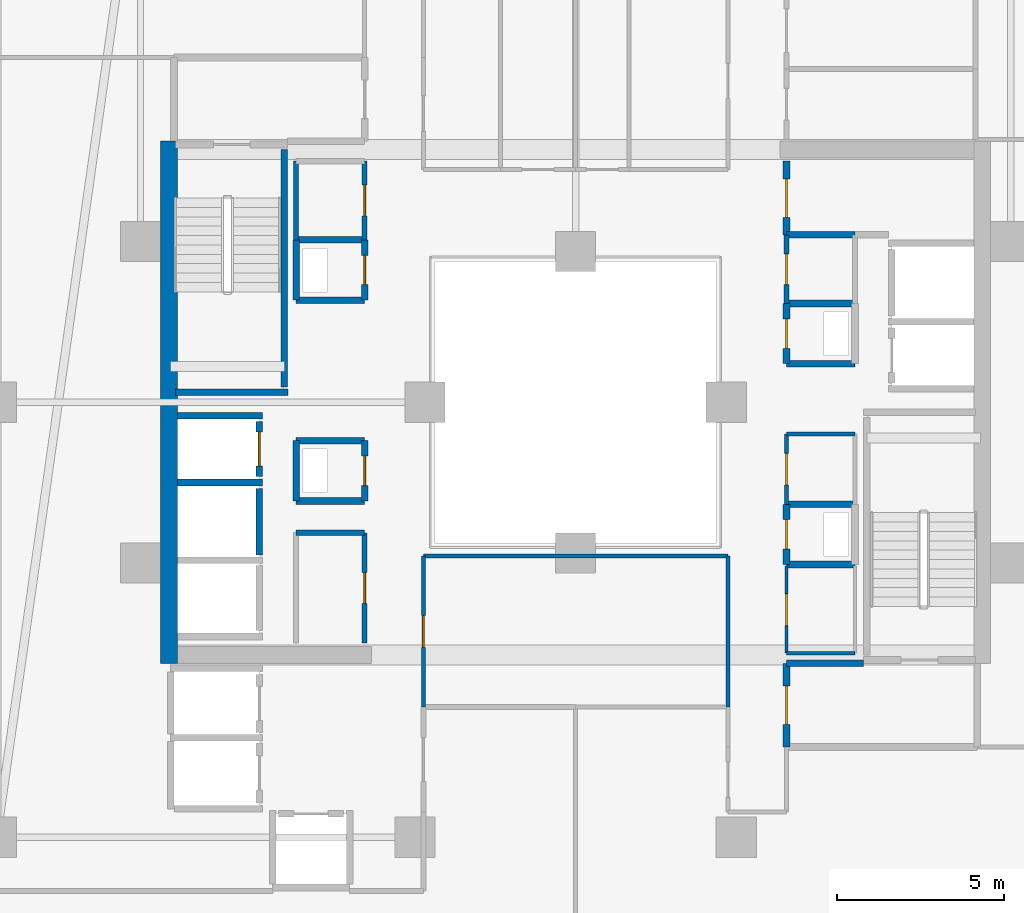
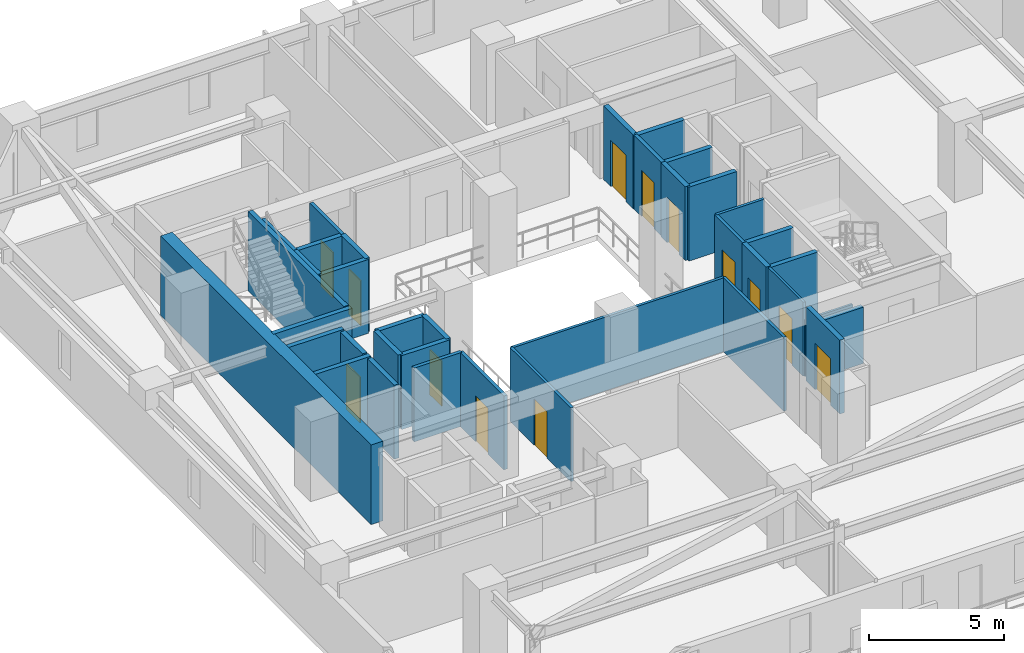
# One storey, part 23 of 33: 37 walls, 13 doors, 13 openings.
"""IFC4 building model written with IfcOpenShell, lengths in metres."""

from ifc_helpers import new_model, si_unit, direction, frame, frame_2d, origin, place, context, subcontext, project, spatial, rectangle, extrude, material, layer, layer_set, type_object, element, fill, save


model = new_model("IFC4")

# Units and contexts
model_context = context("Model", 3, precision=1e-05, world=origin(), true_north=direction((0.0, 1.0)))
body_context = subcontext(model_context, "Body", "Model", "MODEL_VIEW")
ifc_project = project(units=[si_unit("LENGTHUNIT", "METRE"), si_unit("AREAUNIT", "SQUARE_METRE"), si_unit("VOLUMEUNIT", "CUBIC_METRE"), si_unit("PLANEANGLEUNIT", "RADIAN"), si_unit("MASSUNIT", "GRAM", prefix="KILO")], contexts=[model_context])

# Site, building, storey
site_placement = place(None, origin())
site = spatial("IfcSite", under=ifc_project, at=site_placement, CompositionType="ELEMENT")
building_placement = place(site_placement, origin())
building = spatial("IfcBuilding", under=site, at=building_placement, Name="Thornwick Lancets Civic Towers", CompositionType="ELEMENT")
storey_placement = place(building_placement, frame((0.0, 0.0, 130.5)))
storey = spatial("IfcBuildingStorey", under=building, at=storey_placement, Name="L34", CompositionType="ELEMENT", Elevation=130.5)

# Wall, opening, door
ifc_material_1 = material(Name="Concrete blockwork C40/50", Category="masonry")
ifc_layer_1 = layer(ifc_material_1, 0.199951171875, Name="Concrete blockwork C40/50")
ifc_layer_set_1 = layer_set([ifc_layer_1], Name="Concrete blockwork C40/50")
wall_type_1 = type_object("IfcWallType", Name="WALL_COMP_200", PredefinedType="STANDARD", material=ifc_layer_set_1)
wall_1_placement = place(storey_placement, frame((79.050048828125, 24.780029296875, 0.0), z_axis=(0.0, 0.0, 1.0), x_axis=(0.0, 1.0, 0.0)))
wall_1 = element("IfcWall", 1, at=wall_1_placement, inside=storey, type_object=wall_type_1, Name="L34 Hoistway Front Wall FL-B2", PredefinedType="STANDARD", context=body_context, shape_type="SweptSolid", body=[
    extrude(rectangle(XDim=1.639892578125, YDim=0.199951171875, at=frame_2d((0.81982421875, 0.0))), origin(), (0.0, 0.0, 1.0), 3.340087890625),
])
opening_1_placement = place(wall_1_placement, frame((0.31005859375, 0.0, 0.0)))
opening_1 = element("IfcOpeningElement", 2, at=opening_1_placement, cuts=wall_1, Name="Opening LD-FL-B2", PredefinedType="OPENING", context=body_context, shape_type="SweptSolid", body=[
    extrude(rectangle(XDim=1.02001953125, YDim=2.06005859375, at=frame_2d((0.510009765625, 1.030029296875))), frame((0.0, 0.10986328125, 0.0), z_axis=(0.0, -1.0, 0.0), x_axis=(1.0, 0.0, 0.0)), (0.0, 0.0, 1.0), 0.219970703125),
])
ifc_material_2 = material(Name="Brushed bronze stainless steel", Category="steel")
door_type_1 = type_object("IfcDoorType", Name="DOOR_LIFT_SLIDE", OperationType="SLIDING_TO_LEFT", PredefinedType="DOOR", material=ifc_material_2)
door_1_placement = place(opening_1_placement, origin())
door_1 = element("IfcDoor", 3, at=door_1_placement, inside=storey, type_object=door_type_1, Name="L34 Sliding Lift Landing Door LD-FL-B2", OperationType="SLIDING_TO_LEFT", OverallHeight=2.06005859375, OverallWidth=1.02001953125, PredefinedType="DOOR", context=body_context, shape_type="SweptSolid", body=[
    extrude(rectangle(XDim=1.02001953125, YDim=2.06005859375, at=frame_2d((0.510009765625, 1.030029296875))), frame((0.0, 0.02490234375, 0.0), z_axis=(0.0, -1.0, 0.0), x_axis=(1.0, 0.0, 0.0)), (0.0, 0.0, 1.0), 0.050048828125),
])
fill(opening_1, door_1)

# Walls
wall_2_placement = place(storey_placement, frame((79.050048828125, 22.429931640625, 0.0), z_axis=(0.0, 0.0, 1.0), x_axis=(0.0, 1.0, 0.0)))
element("IfcWall", 4, at=wall_2_placement, inside=storey, type_object=wall_type_1, Name="L34 Hoistway Front Wall PL-BH2", PredefinedType="STANDARD", context=body_context, shape_type="SweptSolid", body=[
    extrude(rectangle(XDim=1.989990234375, YDim=0.199951171875, at=frame_2d((0.9951171875, 0.0))), origin(), (0.0, 0.0, 1.0), 3.340087890625),
])
for number, where, z_axis, x_axis, name in (
    (5, (76.612060546875, 26.60009765625, 0.0), (0.0, 0.0, 1.0), (1.0, 0.0, 0.0), "L34 Hoistway Shaft Wall FL-B2 N"),
    (6, (76.612060546875, 24.60009765625, 0.0), (0.0, 0.0, 1.0), (1.0, 0.0, 0.0), "L34 Hoistway Shaft Wall FL-B2 S"),
):
    element("IfcWall", number, at=place(storey_placement, frame(where, z_axis=z_axis, x_axis=x_axis)), inside=storey, type_object=wall_type_1, Name=name, PredefinedType="STANDARD", context=body_context, shape_type="SweptSolid", body=[
        extrude(rectangle(XDim=2.535888671875, YDim=0.199951171875, at=frame_2d((1.26806640625, 0.0))), origin(), (0.0, 0.0, 1.0), 3.340087890625),
    ])
wall_3_placement = place(storey_placement, frame((97.10009765625, 19.199951171875, 0.0), z_axis=(0.0, 0.0, 1.0), x_axis=(-1.0, 0.0, 0.0)))
element("IfcWall", 7, at=wall_3_placement, inside=storey, type_object=wall_type_1, Name="L34 Partition L34-B-FFLOB1 E3", PredefinedType="STANDARD", context=body_context, shape_type="SweptSolid", body=[
    extrude(rectangle(XDim=2.300048828125, YDim=0.199951171875, at=frame_2d((1.14990234375, 0.0))), origin(), (0.0, 0.0, 1.0), 2.544921875),
])

# Wall, opening, door
wall_4_placement = place(storey_placement, frame((94.800048828125, 19.199951171875, 0.0), z_axis=(0.0, 0.0, 1.0), x_axis=(0.0, -1.0, 0.0)))
wall_4 = element("IfcWall", 8, at=wall_4_placement, inside=storey, type_object=wall_type_1, Name="L34 Partition L34-B-FFLOB1 E4", PredefinedType="STANDARD", context=body_context, shape_type="SweptSolid", body=[
    extrude(rectangle(XDim=2.5, YDim=0.199951171875, at=frame_2d((1.25, 0.0))), origin(), (0.0, 0.0, 1.0), 3.340087890625),
])
opening_2_placement = place(wall_4_placement, frame((0.675048828125, 0.0, 0.0)))
opening_2 = element("IfcOpeningElement", 9, at=opening_2_placement, cuts=wall_4, Name="Opening D-L34-1541", PredefinedType="OPENING", context=body_context, shape_type="SweptSolid", body=[
    extrude(rectangle(XDim=1.14990234375, YDim=2.10009765625, at=frame_2d((0.574951171875, 1.050048828125))), frame((0.0, 0.10986328125, 0.0), z_axis=(0.0, -1.0, 0.0), x_axis=(1.0, 0.0, 0.0)), (0.0, 0.0, 1.0), 0.219970703125),
])
ifc_material_3 = material(Name="Glazed fire-resisting steel", Category="steel")
door_type_2 = type_object("IfcDoorType", Name="DOOR_LOBBY_FD60", OperationType="NOTDEFINED", PredefinedType="DOOR", material=ifc_material_3)
door_2_placement = place(opening_2_placement, origin())
door_2 = element("IfcDoor", 10, at=door_2_placement, inside=storey, type_object=door_type_2, Name="L34 East Firefighting Lobby 1 Door", OperationType="SINGLE_SWING_RIGHT", OverallHeight=2.10009765625, OverallWidth=1.14990234375, PredefinedType="DOOR", context=body_context, shape_type="SweptSolid", body=[
    extrude(rectangle(XDim=1.14990234375, YDim=2.10009765625, at=frame_2d((0.574951171875, 1.050048828125))), frame((0.0, 0.02490234375, 0.0), z_axis=(0.0, -1.0, 0.0), x_axis=(1.0, 0.0, 0.0)), (0.0, 0.0, 1.0), 0.050048828125),
])
fill(opening_2, door_2)

# Walls
for number, where, z_axis, x_axis, name in (
    (11, (94.800048828125, 28.14990234375, 0.0), (0.0, 0.0, 1.0), (1.0, 0.0, 0.0), "L34 Partition L34-B-DUCT1 E1"),
    (12, (96.85009765625, 29.949951171875, 0.0), (0.0, 0.0, 1.0), (-1.0, 0.0, 0.0), "L34 Partition L34-B-DUCT1 E3"),
):
    element("IfcWall", number, at=place(storey_placement, frame(where, z_axis=z_axis, x_axis=x_axis)), inside=storey, type_object=wall_type_1, Name=name, PredefinedType="STANDARD", context=body_context, shape_type="SweptSolid", body=[
        extrude(rectangle(XDim=2.050048828125, YDim=0.199951171875, at=frame_2d((1.02490234375, 0.0))), origin(), (0.0, 0.0, 1.0), 3.340087890625),
    ])

# Wall, opening, door
wall_5_placement = place(storey_placement, frame((94.800048828125, 29.949951171875, 0.0), z_axis=(0.0, 0.0, 1.0), x_axis=(0.0, -1.0, 0.0)))
wall_5 = element("IfcWall", 13, at=wall_5_placement, inside=storey, type_object=wall_type_1, Name="L34 Partition L34-B-DUCT1 E4", PredefinedType="STANDARD", context=body_context, shape_type="SweptSolid", body=[
    extrude(rectangle(XDim=1.800048828125, YDim=0.199951171875, at=frame_2d((0.89990234375, 0.0))), origin(), (0.0, 0.0, 1.0), 3.340087890625),
])
opening_3_placement = place(wall_5_placement, frame((0.4599609375, 0.0, 0.0)))
opening_3 = element("IfcOpeningElement", 14, at=opening_3_placement, cuts=wall_5, Name="Opening D-L34-1543", PredefinedType="OPENING", context=body_context, shape_type="SweptSolid", body=[
    extrude(rectangle(XDim=0.8798828125, YDim=2.0400390625, at=frame_2d((0.43994140625, 1.02001953125))), frame((0.0, 0.10986328125, 0.0), z_axis=(0.0, -1.0, 0.0), x_axis=(1.0, 0.0, 0.0)), (0.0, 0.0, 1.0), 0.219970703125),
])
ifc_material_4 = material(Name="Steel riser access doorset", Category="steel")
door_type_3 = type_object("IfcDoorType", Name="DOOR_RISER_850", OperationType="NOTDEFINED", PredefinedType="DOOR", material=ifc_material_4)
door_3_placement = place(opening_3_placement, origin())
door_3 = element("IfcDoor", 15, at=door_3_placement, inside=storey, type_object=door_type_3, Name="L34 East Service Duct 1 Door", OperationType="SINGLE_SWING_RIGHT", OverallHeight=2.0400390625, OverallWidth=0.8798828125, PredefinedType="DOOR", context=body_context, shape_type="SweptSolid", body=[
    extrude(rectangle(XDim=0.8798828125, YDim=2.0400390625, at=frame_2d((0.43994140625, 1.02001953125))), frame((0.0, 0.02490234375, 0.0), z_axis=(0.0, -1.0, 0.0), x_axis=(1.0, 0.0, 0.0)), (0.0, 0.0, 1.0), 0.050048828125),
])
fill(opening_3, door_3)

# Walls
for number, where, z_axis, x_axis, name in (
    (16, (94.800048828125, 22.14990234375, 0.0), (0.0, 0.0, 1.0), (1.0, 0.0, 0.0), "L34 Partition L34-B-RISER1 E1"),
    (17, (96.85009765625, 23.949951171875, 0.0), (0.0, 0.0, 1.0), (-1.0, 0.0, 0.0), "L34 Partition L34-B-RISER1 E3"),
):
    element("IfcWall", number, at=place(storey_placement, frame(where, z_axis=z_axis, x_axis=x_axis)), inside=storey, type_object=wall_type_1, Name=name, PredefinedType="STANDARD", context=body_context, shape_type="SweptSolid", body=[
        extrude(rectangle(XDim=2.050048828125, YDim=0.199951171875, at=frame_2d((1.02490234375, 0.0))), origin(), (0.0, 0.0, 1.0), 3.340087890625),
    ])

# Wall, opening, door
wall_6_placement = place(storey_placement, frame((94.800048828125, 23.949951171875, 0.0), z_axis=(0.0, 0.0, 1.0), x_axis=(0.0, -1.0, 0.0)))
wall_6 = element("IfcWall", 18, at=wall_6_placement, inside=storey, type_object=wall_type_1, Name="L34 Partition L34-B-RISER1 E4", PredefinedType="STANDARD", context=body_context, shape_type="SweptSolid", body=[
    extrude(rectangle(XDim=1.800048828125, YDim=0.199951171875, at=frame_2d((0.89990234375, 0.0))), origin(), (0.0, 0.0, 1.0), 3.340087890625),
])
opening_4_placement = place(wall_6_placement, frame((0.4599609375, 0.0, 0.0)))
opening_4 = element("IfcOpeningElement", 19, at=opening_4_placement, cuts=wall_6, Name="Opening D-L34-1544", PredefinedType="OPENING", context=body_context, shape_type="SweptSolid", body=[
    extrude(rectangle(XDim=0.8798828125, YDim=2.0400390625, at=frame_2d((0.43994140625, 1.02001953125))), frame((0.0, 0.10986328125, 0.0), z_axis=(0.0, -1.0, 0.0), x_axis=(1.0, 0.0, 0.0)), (0.0, 0.0, 1.0), 0.219970703125),
])
door_4_placement = place(opening_4_placement, origin())
door_4 = element("IfcDoor", 20, at=door_4_placement, inside=storey, type_object=door_type_3, Name="L34 East Electrical Riser 1 Door", OperationType="SINGLE_SWING_LEFT", OverallHeight=2.0400390625, OverallWidth=0.8798828125, PredefinedType="DOOR", context=body_context, shape_type="SweptSolid", body=[
    extrude(rectangle(XDim=0.8798828125, YDim=2.0400390625, at=frame_2d((0.43994140625, 1.02001953125))), frame((0.0, 0.02490234375, 0.0), z_axis=(0.0, -1.0, 0.0), x_axis=(1.0, 0.0, 0.0)), (0.0, 0.0, 1.0), 0.050048828125),
])
fill(opening_4, door_4)

# Wall
wall_7_placement = place(storey_placement, frame((80.14990234375, 24.050048828125, 0.0), z_axis=(0.0, 0.0, 1.0), x_axis=(1.0, 0.0, 0.0)))
element("IfcWall", 21, at=wall_7_placement, inside=storey, type_object=wall_type_1, Name="L34 Partition L34-B-DUCT2 E1", PredefinedType="STANDARD", context=body_context, shape_type="SweptSolid", body=[
    extrude(rectangle(XDim=2.050048828125, YDim=0.199951171875, at=frame_2d((1.02490234375, 0.0))), origin(), (0.0, 0.0, 1.0), 3.340087890625),
])

# Wall, opening, door
wall_8_placement = place(storey_placement, frame((82.199951171875, 24.050048828125, 0.0), z_axis=(0.0, 0.0, 1.0), x_axis=(0.0, 1.0, 0.0)))
wall_8 = element("IfcWall", 22, at=wall_8_placement, inside=storey, type_object=wall_type_1, Name="L34 Partition L34-B-DUCT2 E2", PredefinedType="STANDARD", context=body_context, shape_type="SweptSolid", body=[
    extrude(rectangle(XDim=1.800048828125, YDim=0.199951171875, at=frame_2d((0.89990234375, 0.0))), origin(), (0.0, 0.0, 1.0), 3.340087890625),
])
opening_5_placement = place(wall_8_placement, frame((0.4599609375, 0.0, 0.0)))
opening_5 = element("IfcOpeningElement", 23, at=opening_5_placement, cuts=wall_8, Name="Opening D-L34-1545", PredefinedType="OPENING", context=body_context, shape_type="SweptSolid", body=[
    extrude(rectangle(XDim=0.8798828125, YDim=2.0400390625, at=frame_2d((0.43994140625, 1.02001953125))), frame((0.0, 0.10986328125, 0.0), z_axis=(0.0, -1.0, 0.0), x_axis=(1.0, 0.0, 0.0)), (0.0, 0.0, 1.0), 0.219970703125),
])
door_5_placement = place(opening_5_placement, origin())
door_5 = element("IfcDoor", 24, at=door_5_placement, inside=storey, type_object=door_type_3, Name="L34 West Service Duct 2 Door", OperationType="SINGLE_SWING_RIGHT", OverallHeight=2.0400390625, OverallWidth=0.8798828125, PredefinedType="DOOR", context=body_context, shape_type="SweptSolid", body=[
    extrude(rectangle(XDim=0.8798828125, YDim=2.0400390625, at=frame_2d((0.43994140625, 1.02001953125))), frame((0.0, 0.02490234375, 0.0), z_axis=(0.0, -1.0, 0.0), x_axis=(1.0, 0.0, 0.0)), (0.0, 0.0, 1.0), 0.050048828125),
])
fill(opening_5, door_5)

# Walls
wall_9_placement = place(storey_placement, frame((82.199951171875, 25.85009765625, 0.0), z_axis=(0.0, 0.0, 1.0), x_axis=(-1.0, 0.0, 0.0)))
element("IfcWall", 25, at=wall_9_placement, inside=storey, type_object=wall_type_1, Name="L34 Partition L34-B-DUCT2 E3", PredefinedType="STANDARD", context=body_context, shape_type="SweptSolid", body=[
    extrude(rectangle(XDim=2.050048828125, YDim=0.199951171875, at=frame_2d((1.02490234375, 0.0))), origin(), (0.0, 0.0, 1.0), 3.340087890625),
])
wall_10_placement = place(storey_placement, frame((80.14990234375, 25.85009765625, 0.0), z_axis=(0.0, 0.0, 1.0), x_axis=(0.0, -1.0, 0.0)))
element("IfcWall", 26, at=wall_10_placement, inside=storey, type_object=wall_type_1, Name="L34 Partition L34-B-DUCT2 E4", PredefinedType="STANDARD", context=body_context, shape_type="SweptSolid", body=[
    extrude(rectangle(XDim=1.800048828125, YDim=0.199951171875, at=frame_2d((0.89990234375, 0.0))), origin(), (0.0, 0.0, 1.0), 3.340087890625),
])
wall_11_placement = place(storey_placement, frame((80.14990234375, 30.050048828125, 0.0), z_axis=(0.0, 0.0, 1.0), x_axis=(1.0, 0.0, 0.0)))
element("IfcWall", 27, at=wall_11_placement, inside=storey, type_object=wall_type_1, Name="L34 Partition L34-B-RISER2 E1", PredefinedType="STANDARD", context=body_context, shape_type="SweptSolid", body=[
    extrude(rectangle(XDim=2.050048828125, YDim=0.199951171875, at=frame_2d((1.02490234375, 0.0))), origin(), (0.0, 0.0, 1.0), 3.340087890625),
])

# Wall, opening, door
wall_12_placement = place(storey_placement, frame((82.199951171875, 30.050048828125, 0.0), z_axis=(0.0, 0.0, 1.0), x_axis=(0.0, 1.0, 0.0)))
wall_12 = element("IfcWall", 28, at=wall_12_placement, inside=storey, type_object=wall_type_1, Name="L34 Partition L34-B-RISER2 E2", PredefinedType="STANDARD", context=body_context, shape_type="SweptSolid", body=[
    extrude(rectangle(XDim=1.800048828125, YDim=0.199951171875, at=frame_2d((0.89990234375, 0.0))), origin(), (0.0, 0.0, 1.0), 3.340087890625),
])
opening_6_placement = place(wall_12_placement, frame((0.4599609375, 0.0, 0.0)))
opening_6 = element("IfcOpeningElement", 29, at=opening_6_placement, cuts=wall_12, Name="Opening D-L34-1546", PredefinedType="OPENING", context=body_context, shape_type="SweptSolid", body=[
    extrude(rectangle(XDim=0.8798828125, YDim=2.0400390625, at=frame_2d((0.43994140625, 1.02001953125))), frame((0.0, 0.10986328125, 0.0), z_axis=(0.0, -1.0, 0.0), x_axis=(1.0, 0.0, 0.0)), (0.0, 0.0, 1.0), 0.219970703125),
])
door_6_placement = place(opening_6_placement, origin())
door_6 = element("IfcDoor", 30, at=door_6_placement, inside=storey, type_object=door_type_3, Name="L34 West Service Riser 2 Door", OperationType="SINGLE_SWING_LEFT", OverallHeight=2.0400390625, OverallWidth=0.8798828125, PredefinedType="DOOR", context=body_context, shape_type="SweptSolid", body=[
    extrude(rectangle(XDim=0.8798828125, YDim=2.0400390625, at=frame_2d((0.43994140625, 1.02001953125))), frame((0.0, 0.02490234375, 0.0), z_axis=(0.0, -1.0, 0.0), x_axis=(1.0, 0.0, 0.0)), (0.0, 0.0, 1.0), 0.050048828125),
])
fill(opening_6, door_6)

# Walls
wall_13_placement = place(storey_placement, frame((82.199951171875, 31.85009765625, 0.0), z_axis=(0.0, 0.0, 1.0), x_axis=(-1.0, 0.0, 0.0)))
element("IfcWall", 31, at=wall_13_placement, inside=storey, type_object=wall_type_1, Name="L34 Partition L34-B-RISER2 E3", PredefinedType="STANDARD", context=body_context, shape_type="SweptSolid", body=[
    extrude(rectangle(XDim=2.050048828125, YDim=0.199951171875, at=frame_2d((1.02490234375, 0.0))), origin(), (0.0, 0.0, 1.0), 3.340087890625),
])
wall_14_placement = place(storey_placement, frame((80.14990234375, 31.85009765625, 0.0), z_axis=(0.0, 0.0, 1.0), x_axis=(0.0, -1.0, 0.0)))
element("IfcWall", 32, at=wall_14_placement, inside=storey, type_object=wall_type_1, Name="L34 Partition L34-B-RISER2 E4", PredefinedType="STANDARD", context=body_context, shape_type="SweptSolid", body=[
    extrude(rectangle(XDim=1.800048828125, YDim=0.199951171875, at=frame_2d((0.89990234375, 0.0))), origin(), (0.0, 0.0, 1.0), 3.340087890625),
])

# Wall, opening, door
wall_15_placement = place(storey_placement, frame((94.800048828125, 32.0, 0.0), z_axis=(0.0, 0.0, 1.0), x_axis=(0.0, 1.0, 0.0)))
wall_15 = element("IfcWall", 33, at=wall_15_placement, inside=storey, type_object=wall_type_1, Name="L34 Partition L34-B-STR2 E1", PredefinedType="STANDARD", context=body_context, shape_type="SweptSolid", body=[
    extrude(rectangle(XDim=2.199951171875, YDim=0.199951171875, at=frame_2d((1.10009765625, 0.0))), origin(), (0.0, 0.0, 1.0), 3.340087890625),
])
opening_7_placement = place(wall_15_placement, frame((0.52490234375, 0.0, 0.0)))
opening_7 = element("IfcOpeningElement", 34, at=opening_7_placement, cuts=wall_15, Name="Opening D-L34-1550", PredefinedType="OPENING", context=body_context, shape_type="SweptSolid", body=[
    extrude(rectangle(XDim=1.14990234375, YDim=2.10009765625, at=frame_2d((0.574951171875, 1.050048828125))), frame((0.0, 0.10986328125, 0.0), z_axis=(0.0, -1.0, 0.0), x_axis=(1.0, 0.0, 0.0)), (0.0, 0.0, 1.0), 0.219970703125),
])
door_7_placement = place(opening_7_placement, origin())
door_7 = element("IfcDoor", 35, at=door_7_placement, inside=storey, type_object=door_type_2, Name="L34 Tower B Core Supplies Store Door", OperationType="SINGLE_SWING_LEFT", OverallHeight=2.10009765625, OverallWidth=1.14990234375, PredefinedType="DOOR", context=body_context, shape_type="SweptSolid", body=[
    extrude(rectangle(XDim=1.14990234375, YDim=2.10009765625, at=frame_2d((0.574951171875, 1.050048828125))), frame((0.0, 0.02490234375, 0.0), z_axis=(0.0, -1.0, 0.0), x_axis=(1.0, 0.0, 0.0)), (0.0, 0.0, 1.0), 0.050048828125),
])
fill(opening_7, door_7)

# Walls
wall_16_placement = place(storey_placement, frame((96.85009765625, 32.0, 0.0), z_axis=(0.0, 0.0, 1.0), x_axis=(-1.0, 0.0, 0.0)))
element("IfcWall", 36, at=wall_16_placement, inside=storey, type_object=wall_type_1, Name="L34 Partition L34-B-STR2 E5", PredefinedType="STANDARD", context=body_context, shape_type="SweptSolid", body=[
    extrude(rectangle(XDim=2.050048828125, YDim=0.199951171875, at=frame_2d((1.02490234375, 0.0))), origin(), (0.0, 0.0, 1.0), 3.340087890625),
])
ifc_material_5 = material(Name="Concrete C50/60", Category="concrete")
ifc_layer_2 = layer(ifc_material_5, 0.5, Name="Concrete C50/60")
ifc_layer_set_2 = layer_set([ifc_layer_2], Name="Concrete C50/60")
wall_type_2 = type_object("IfcWallType", Name="WALL_CORE_500", PredefinedType="SHEAR", material=ifc_layer_set_2)
wall_17_placement = place(storey_placement, frame((76.35009765625, 19.199951171875, 0.0), z_axis=(0.0, 0.0, 1.0), x_axis=(0.0, 1.0, 0.0)))
element("IfcWall", 37, at=wall_17_placement, inside=storey, type_object=wall_type_2, Name="L34 Split Core B2 Shear Wall W", PredefinedType="SHEAR", context=body_context, shape_type="SweptSolid", body=[
    extrude(rectangle(XDim=15.60009765625, YDim=0.5, at=frame_2d((7.800048828125, 0.0))), origin(), (0.0, 0.0, 1.0), 3.60009765625),
])
ifc_material_6 = material(Name="Lightweight cellular office partition")
ifc_layer_3 = layer(ifc_material_6, 0.10009765625, Name="Lightweight cellular office partition")
ifc_layer_set_3 = layer_set([ifc_layer_3], Name="Lightweight cellular office partition")
wall_type_3 = type_object("IfcWallType", Name="WALL_PART_100", PredefinedType="PARTITIONING", material=ifc_layer_set_3)
wall_18_placement = place(storey_placement, frame((94.800048828125, 19.5, 0.0), z_axis=(0.0, 0.0, 1.0), x_axis=(1.0, 0.0, 0.0)))
element("IfcWall", 38, at=wall_18_placement, inside=storey, type_object=wall_type_3, Name="L34 Partition L34-B-CLN E1", PredefinedType="PARTITIONING", context=body_context, shape_type="SweptSolid", body=[
    extrude(rectangle(XDim=2.050048828125, YDim=0.10009765625, at=frame_2d((1.02490234375, 0.0))), origin(), (0.0, 0.0, 1.0), 2.544921875),
])

# Wall, opening, door
wall_19_placement = place(storey_placement, frame((94.800048828125, 22.10009765625, 0.0), z_axis=(0.0, 0.0, 1.0), x_axis=(0.0, -1.0, 0.0)))
wall_19 = element("IfcWall", 39, at=wall_19_placement, inside=storey, type_object=wall_type_3, Name="L34 Partition L34-B-CLN E4", PredefinedType="PARTITIONING", context=body_context, shape_type="SweptSolid", body=[
    extrude(rectangle(XDim=2.60009765625, YDim=0.10009765625, at=frame_2d((1.300048828125, 0.0))), origin(), (0.0, 0.0, 1.0), 3.340087890625),
])
opening_8_placement = place(wall_19_placement, frame((0.824951171875, 0.0, 0.0)))
opening_8 = element("IfcOpeningElement", 40, at=opening_8_placement, cuts=wall_19, Name="Opening D-L34-1547", PredefinedType="OPENING", context=body_context, shape_type="SweptSolid", body=[
    extrude(rectangle(XDim=0.949951171875, YDim=2.10009765625, at=frame_2d((0.47509765625, 1.050048828125))), frame((0.0, 0.06005859375, 0.0), z_axis=(0.0, -1.0, 0.0), x_axis=(1.0, 0.0, 0.0)), (0.0, 0.0, 1.0), 0.1201171875),
])
ifc_material_7 = material(Name="European oak acoustic doorset")
door_type_4 = type_object("IfcDoorType", Name="DOOR_OFFICE_950", OperationType="NOTDEFINED", PredefinedType="DOOR", material=ifc_material_7)
door_8_placement = place(opening_8_placement, origin())
door_8 = element("IfcDoor", 41, at=door_8_placement, inside=storey, type_object=door_type_4, Name="L34 Tower B Cleaners Store Door", OperationType="SINGLE_SWING_RIGHT", OverallHeight=2.10009765625, OverallWidth=0.949951171875, PredefinedType="DOOR", context=body_context, shape_type="SweptSolid", body=[
    extrude(rectangle(XDim=0.949951171875, YDim=2.10009765625, at=frame_2d((0.47509765625, 1.050048828125))), frame((0.0, 0.02490234375, 0.0), z_axis=(0.0, -1.0, 0.0), x_axis=(1.0, 0.0, 0.0)), (0.0, 0.0, 1.0), 0.050048828125),
])
fill(opening_8, door_8)

ifc_material_8 = material(Name="Acoustic gypsum board partition")
ifc_layer_4 = layer(ifc_material_8, 0.1201171875, Name="Acoustic gypsum board partition")
ifc_layer_set_4 = layer_set([ifc_layer_4], Name="Acoustic gypsum board partition")
wall_type_4 = type_object("IfcWallType", Name="WALL_PART_120", PredefinedType="PARTITIONING", material=ifc_layer_set_4)
wall_20_placement = place(storey_placement, frame((94.800048828125, 23.949951171875, 0.0), z_axis=(0.0, 0.0, 1.0), x_axis=(0.0, 1.0, 0.0)))
wall_20 = element("IfcWall", 42, at=wall_20_placement, inside=storey, type_object=wall_type_4, Name="L34 Partition L34-B-ITR E1", PredefinedType="PARTITIONING", context=body_context, shape_type="SweptSolid", body=[
    extrude(rectangle(XDim=2.10009765625, YDim=0.1201171875, at=frame_2d((1.050048828125, 0.0))), origin(), (0.0, 0.0, 1.0), 3.340087890625),
])
opening_9_placement = place(wall_20_placement, frame((0.574951171875, 0.0, 0.0)))
opening_9 = element("IfcOpeningElement", 43, at=opening_9_placement, cuts=wall_20, Name="Opening D-L34-1548", PredefinedType="OPENING", context=body_context, shape_type="SweptSolid", body=[
    extrude(rectangle(XDim=0.949951171875, YDim=2.10009765625, at=frame_2d((0.47509765625, 1.050048828125))), frame((0.0, 0.070068359375, 0.0), z_axis=(0.0, -1.0, 0.0), x_axis=(1.0, 0.0, 0.0)), (0.0, 0.0, 1.0), 0.14013671875),
])
door_9_placement = place(opening_9_placement, origin())
door_9 = element("IfcDoor", 44, at=door_9_placement, inside=storey, type_object=door_type_4, Name="L34 Tower B Comms Patch Room Door", OperationType="SINGLE_SWING_LEFT", OverallHeight=2.10009765625, OverallWidth=0.949951171875, PredefinedType="DOOR", context=body_context, shape_type="SweptSolid", body=[
    extrude(rectangle(XDim=0.949951171875, YDim=2.10009765625, at=frame_2d((0.47509765625, 1.050048828125))), frame((0.0, 0.02490234375, 0.0), z_axis=(0.0, -1.0, 0.0), x_axis=(1.0, 0.0, 0.0)), (0.0, 0.0, 1.0), 0.050048828125),
])
fill(opening_9, door_9)

# Wall
wall_21_placement = place(storey_placement, frame((94.800048828125, 26.050048828125, 0.0), z_axis=(0.0, 0.0, 1.0), x_axis=(1.0, 0.0, 0.0)))
element("IfcWall", 45, at=wall_21_placement, inside=storey, type_object=wall_type_4, Name="L34 Partition L34-B-ITR E2", PredefinedType="PARTITIONING", context=body_context, shape_type="SweptSolid", body=[
    extrude(rectangle(XDim=2.050048828125, YDim=0.1201171875, at=frame_2d((1.02490234375, 0.0))), origin(), (0.0, 0.0, 1.0), 3.340087890625),
])

# Wall, opening, door
wall_22_placement = place(storey_placement, frame((83.949951171875, 17.89990234375, 0.0), z_axis=(0.0, 0.0, 1.0), x_axis=(0.0, 1.0, 0.0)))
wall_22 = element("IfcWall", 46, at=wall_22_placement, inside=storey, type_object=wall_type_4, Name="L34 Partition L34-B-W3 E1", PredefinedType="PARTITIONING", context=body_context, shape_type="SweptSolid", body=[
    extrude(rectangle(XDim=4.5, YDim=0.1201171875, at=frame_2d((2.25, 0.0))), origin(), (0.0, 0.0, 1.0), 3.340087890625),
])
opening_10_placement = place(wall_22_placement, frame((1.77490234375, 0.0, 0.0)))
opening_10 = element("IfcOpeningElement", 47, at=opening_10_placement, cuts=wall_22, Name="Opening D-L34-1566", PredefinedType="OPENING", context=body_context, shape_type="SweptSolid", body=[
    extrude(rectangle(XDim=0.949951171875, YDim=2.10009765625, at=frame_2d((0.47509765625, 1.050048828125))), frame((0.0, 0.070068359375, 0.0), z_axis=(0.0, -1.0, 0.0), x_axis=(1.0, 0.0, 0.0)), (0.0, 0.0, 1.0), 0.14013671875),
])
door_10_placement = place(opening_10_placement, origin())
door_10 = element("IfcDoor", 48, at=door_10_placement, inside=storey, type_object=door_type_4, Name="L34 Tower B West Atrium Reading Lounge Door", OperationType="SINGLE_SWING_LEFT", OverallHeight=2.10009765625, OverallWidth=0.949951171875, PredefinedType="DOOR", context=body_context, shape_type="SweptSolid", body=[
    extrude(rectangle(XDim=0.949951171875, YDim=2.10009765625, at=frame_2d((0.47509765625, 1.050048828125))), frame((0.0, 0.02490234375, 0.0), z_axis=(0.0, -1.0, 0.0), x_axis=(1.0, 0.0, 0.0)), (0.0, 0.0, 1.0), 0.050048828125),
])
fill(opening_10, door_10)

# Walls
wall_23_placement = place(storey_placement, frame((83.949951171875, 22.39990234375, 0.0), z_axis=(0.0, 0.0, 1.0), x_axis=(1.0, 0.0, 0.0)))
element("IfcWall", 49, at=wall_23_placement, inside=storey, type_object=wall_type_4, Name="L34 Partition L34-B-W3 E2", PredefinedType="PARTITIONING", context=body_context, shape_type="SweptSolid", body=[
    extrude(rectangle(XDim=9.10009765625, YDim=0.1201171875, at=frame_2d((4.550048828125, 0.0))), origin(), (0.0, 0.0, 1.0), 3.340087890625),
])
wall_24_placement = place(storey_placement, frame((93.050048828125, 22.39990234375, 0.0), z_axis=(0.0, 0.0, 1.0), x_axis=(0.0, -1.0, 0.0)))
element("IfcWall", 50, at=wall_24_placement, inside=storey, type_object=wall_type_4, Name="L34 Partition L34-B-W3 E3", PredefinedType="PARTITIONING", context=body_context, shape_type="SweptSolid", body=[
    extrude(rectangle(XDim=4.5, YDim=0.1201171875, at=frame_2d((2.25, 0.0))), origin(), (0.0, 0.0, 1.0), 3.340087890625),
])

# Wall, opening, door
ifc_material_9 = material(Name="Twin-stud acoustic gypsum board")
ifc_layer_5 = layer(ifc_material_9, 0.14990234375, Name="Twin-stud acoustic gypsum board")
ifc_layer_set_5 = layer_set([ifc_layer_5], Name="Twin-stud acoustic gypsum board")
wall_type_5 = type_object("IfcWallType", Name="WALL_PART_150", PredefinedType="PARTITIONING", material=ifc_layer_set_5)
wall_25_placement = place(storey_placement, frame((94.800048828125, 29.949951171875, 0.0), z_axis=(0.0, 0.0, 1.0), x_axis=(0.0, 1.0, 0.0)))
wall_25 = element("IfcWall", 51, at=wall_25_placement, inside=storey, type_object=wall_type_5, Name="L34 Partition L34-B-AWC E1", PredefinedType="PARTITIONING", context=body_context, shape_type="SweptSolid", body=[
    extrude(rectangle(XDim=2.050048828125, YDim=0.14990234375, at=frame_2d((1.02490234375, 0.0))), origin(), (0.0, 0.0, 1.0), 3.340087890625),
])
opening_11_placement = place(wall_25_placement, frame((0.56494140625, 0.0, 0.0)))
opening_11 = element("IfcOpeningElement", 52, at=opening_11_placement, cuts=wall_25, Name="Opening D-L34-1549", PredefinedType="OPENING", context=body_context, shape_type="SweptSolid", body=[
    extrude(rectangle(XDim=0.919921875, YDim=2.080078125, at=frame_2d((0.4599609375, 1.0400390625))), frame((0.0, 0.0849609375, 0.0), z_axis=(0.0, -1.0, 0.0), x_axis=(1.0, 0.0, 0.0)), (0.0, 0.0, 1.0), 0.169921875),
])
ifc_material_10 = material(Name="Moisture-resistant oak doorset")
door_type_5 = type_object("IfcDoorType", Name="DOOR_WC_900", OperationType="NOTDEFINED", PredefinedType="DOOR", material=ifc_material_10)
door_11_placement = place(opening_11_placement, origin())
door_11 = element("IfcDoor", 53, at=door_11_placement, inside=storey, type_object=door_type_5, Name="L34 Tower B Accessible WC Door", OperationType="SINGLE_SWING_RIGHT", OverallHeight=2.080078125, OverallWidth=0.919921875, PredefinedType="DOOR", context=body_context, shape_type="SweptSolid", body=[
    extrude(rectangle(XDim=0.919921875, YDim=2.080078125, at=frame_2d((0.4599609375, 1.0400390625))), frame((0.0, 0.02490234375, 0.0), z_axis=(0.0, -1.0, 0.0), x_axis=(1.0, 0.0, 0.0)), (0.0, 0.0, 1.0), 0.050048828125),
])
fill(opening_11, door_11)

wall_26_placement = place(storey_placement, frame((82.199951171875, 19.800048828125, 0.0), z_axis=(0.0, 0.0, 1.0), x_axis=(0.0, 1.0, 0.0)))
wall_26 = element("IfcWall", 54, at=wall_26_placement, inside=storey, type_object=wall_type_5, Name="L34 Partition L34-B-MWC E2", PredefinedType="PARTITIONING", context=body_context, shape_type="SweptSolid", body=[
    extrude(rectangle(XDim=3.300048828125, YDim=0.14990234375, at=frame_2d((1.64990234375, 0.0))), origin(), (0.0, 0.0, 1.0), 3.340087890625),
])
opening_12_placement = place(wall_26_placement, frame((1.18994140625, 0.0, 0.0)))
opening_12 = element("IfcOpeningElement", 55, at=opening_12_placement, cuts=wall_26, Name="Opening D-L34-1551", PredefinedType="OPENING", context=body_context, shape_type="SweptSolid", body=[
    extrude(rectangle(XDim=0.919921875, YDim=2.080078125, at=frame_2d((0.4599609375, 1.0400390625))), frame((0.0, 0.0849609375, 0.0), z_axis=(0.0, -1.0, 0.0), x_axis=(1.0, 0.0, 0.0)), (0.0, 0.0, 1.0), 0.169921875),
])
door_12_placement = place(opening_12_placement, origin())
door_12 = element("IfcDoor", 56, at=door_12_placement, inside=storey, type_object=door_type_5, Name="L34 Tower B Male WC Door", OperationType="SINGLE_SWING_RIGHT", OverallHeight=2.080078125, OverallWidth=0.919921875, PredefinedType="DOOR", context=body_context, shape_type="SweptSolid", body=[
    extrude(rectangle(XDim=0.919921875, YDim=2.080078125, at=frame_2d((0.4599609375, 1.0400390625))), frame((0.0, 0.02490234375, 0.0), z_axis=(0.0, -1.0, 0.0), x_axis=(1.0, 0.0, 0.0)), (0.0, 0.0, 1.0), 0.050048828125),
])
fill(opening_12, door_12)

# Walls
wall_27_placement = place(storey_placement, frame((82.199951171875, 23.10009765625, 0.0), z_axis=(0.0, 0.0, 1.0), x_axis=(-1.0, 0.0, 0.0)))
element("IfcWall", 57, at=wall_27_placement, inside=storey, type_object=wall_type_5, Name="L34 Partition L34-B-MWC E3", PredefinedType="PARTITIONING", context=body_context, shape_type="SweptSolid", body=[
    extrude(rectangle(XDim=2.050048828125, YDim=0.14990234375, at=frame_2d((1.02490234375, 0.0))), origin(), (0.0, 0.0, 1.0), 3.340087890625),
])
wall_28_placement = place(storey_placement, frame((80.14990234375, 31.85009765625, 0.0), z_axis=(0.0, 0.0, 1.0), x_axis=(0.0, 1.0, 0.0)))
element("IfcWall", 58, at=wall_28_placement, inside=storey, type_object=wall_type_5, Name="L34 Partition L34-B-FWC E1", PredefinedType="PARTITIONING", context=body_context, shape_type="SweptSolid", body=[
    extrude(rectangle(XDim=2.349853515625, YDim=0.14990234375, at=frame_2d((1.1748046875, 0.0))), origin(), (0.0, 0.0, 1.0), 3.340087890625),
])

# Wall, opening, door
wall_29_placement = place(storey_placement, frame((82.199951171875, 34.199951171875, 0.0), z_axis=(0.0, 0.0, 1.0), x_axis=(0.0, -1.0, 0.0)))
wall_29 = element("IfcWall", 59, at=wall_29_placement, inside=storey, type_object=wall_type_5, Name="L34 Partition L34-B-FWC E3", PredefinedType="PARTITIONING", context=body_context, shape_type="SweptSolid", body=[
    extrude(rectangle(XDim=2.349853515625, YDim=0.14990234375, at=frame_2d((1.1748046875, 0.0))), origin(), (0.0, 0.0, 1.0), 3.340087890625),
])
opening_13_placement = place(wall_29_placement, frame((0.715087890625, 0.0, 0.0)))
opening_13 = element("IfcOpeningElement", 60, at=opening_13_placement, cuts=wall_29, Name="Opening D-L34-1552", PredefinedType="OPENING", context=body_context, shape_type="SweptSolid", body=[
    extrude(rectangle(XDim=0.919921875, YDim=2.080078125, at=frame_2d((0.4599609375, 1.0400390625))), frame((0.0, 0.0849609375, 0.0), z_axis=(0.0, -1.0, 0.0), x_axis=(1.0, 0.0, 0.0)), (0.0, 0.0, 1.0), 0.169921875),
])
door_13_placement = place(opening_13_placement, origin())
door_13 = element("IfcDoor", 61, at=door_13_placement, inside=storey, type_object=door_type_5, Name="L34 Tower B Female WC Door", OperationType="SINGLE_SWING_LEFT", OverallHeight=2.080078125, OverallWidth=0.919921875, PredefinedType="DOOR", context=body_context, shape_type="SweptSolid", body=[
    extrude(rectangle(XDim=0.919921875, YDim=2.080078125, at=frame_2d((0.4599609375, 1.0400390625))), frame((0.0, 0.02490234375, 0.0), z_axis=(0.0, -1.0, 0.0), x_axis=(1.0, 0.0, 0.0)), (0.0, 0.0, 1.0), 0.050048828125),
])
fill(opening_13, door_13)

# Walls
ifc_material_11 = material(Name="Concrete C40/50", Category="concrete")
ifc_layer_6 = layer(ifc_material_11, 0.199951171875, Name="Concrete C40/50")
ifc_layer_set_6 = layer_set([ifc_layer_6], Name="Concrete C40/50")
wall_type_6 = type_object("IfcWallType", Name="WALL_SHAFT_200", PredefinedType="SHEAR", material=ifc_layer_set_6)
wall_30_placement = place(storey_placement, frame((79.89990234375, 27.300048828125, 0.0), z_axis=(0.0, 0.0, 1.0), x_axis=(-1.0, 0.0, 0.0)))
element("IfcWall", 62, at=wall_30_placement, inside=storey, type_object=wall_type_6, Name="L34 ST-B2 Fire Stair Core Wall FAR", PredefinedType="SHEAR", context=body_context, shape_type="SweptSolid", body=[
    extrude(rectangle(XDim=3.349853515625, YDim=0.199951171875, at=frame_2d((1.6748046875, 0.0))), origin(), (0.0, 0.0, 1.0), 3.60009765625),
])
wall_31_placement = place(storey_placement, frame((79.797119140625, 27.449951171875, 0.0), z_axis=(0.0, 0.0, 1.0), x_axis=(0.0, 1.0, 0.0)))
element("IfcWall", 63, at=wall_31_placement, inside=storey, type_object=wall_type_6, Name="L34 ST-B2 Fire Stair Core Wall RIGHT", PredefinedType="SHEAR", context=body_context, shape_type="SweptSolid", body=[
    extrude(rectangle(XDim=7.10009765625, YDim=0.199951171875, at=frame_2d((3.550048828125, 0.0))), origin(), (0.0, 0.0, 1.0), 3.60009765625),
])

save(model, "model.ifc")
